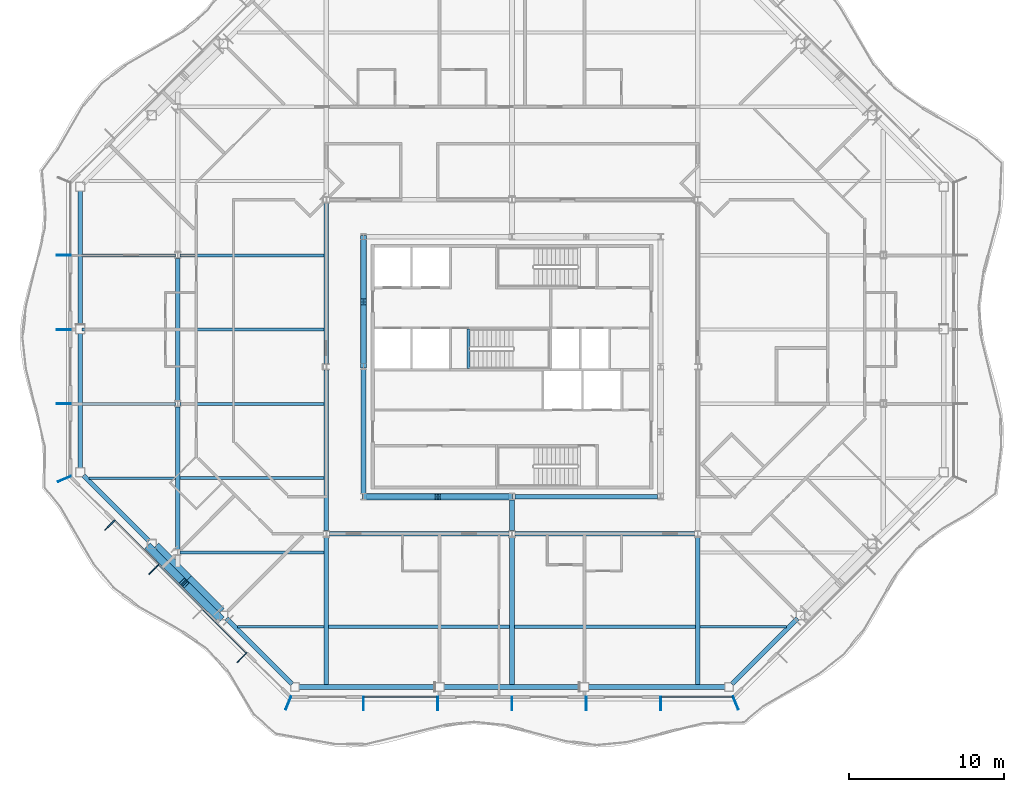
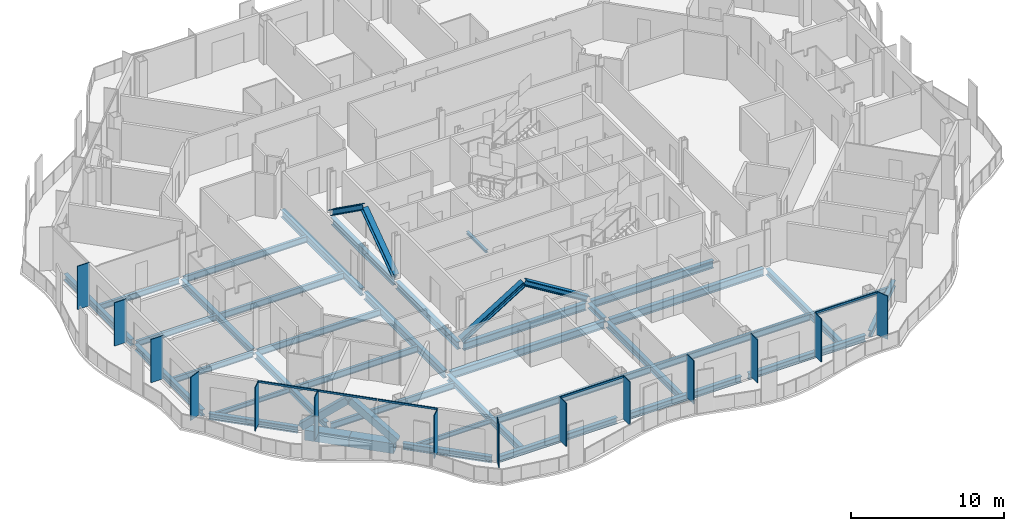
# One storey, part 3 of 21: 38 beams, 25 members, 4 elements without a shape of their own.
"""IFC4 building model written with IfcOpenShell, lengths in metres."""

from ifc_helpers import new_model, si_unit, direction, frame, origin, origin_2d, place, context, subcontext, project, spatial, rectangle, hollow_rectangle, i_section, extrude, material, material_profile, profile_set, type_object, element, aggregate, save


model = new_model("IFC4")

# Units and contexts
model_context = context("Model", 3, precision=1e-05, world=origin(), true_north=direction((0.0, 1.0)))
body_context = subcontext(model_context, "Body", "Model", "MODEL_VIEW")
ifc_project = project(units=[si_unit("LENGTHUNIT", "METRE"), si_unit("AREAUNIT", "SQUARE_METRE"), si_unit("VOLUMEUNIT", "CUBIC_METRE"), si_unit("PLANEANGLEUNIT", "RADIAN"), si_unit("MASSUNIT", "GRAM", prefix="KILO")], contexts=[model_context])

# Site, building, storey
site_placement = place(None, origin())
site = spatial("IfcSite", under=ifc_project, at=site_placement, CompositionType="ELEMENT")
building_placement = place(site_placement, origin())
building = spatial("IfcBuilding", under=site, at=building_placement, Name="Cairn Pilgrim Tower", CompositionType="ELEMENT")
storey_placement = place(building_placement, frame((0.0, 0.0, 161.39990234375)))
storey = spatial("IfcBuildingStorey", under=building, at=storey_placement, Name="L40", CompositionType="ELEMENT", Elevation=161.39990234375)

# Members
ifc_material_1 = material(Name="Structural steel S460M", Category="steel")
ifc_material_profile_1 = material_profile(ifc_material_1, hollow_rectangle(XDim=0.5, YDim=0.5, WallThickness=0.030029296875, at=origin_2d()), Name="BOX 500x500x30")
ifc_profile_set_1 = profile_set([ifc_material_profile_1], Name="Structural steel S460M")
member_type_1 = type_object("IfcMemberType", Name="BOX 500x500x30 BRACE", PredefinedType="BRACE", material=ifc_profile_set_1)
for number, where, z_axis, x_axis, name in (
    (1, (-16.243408203125, -9.2978515625, 0.150146484375), (0.532872437944, -0.54041586551, 0.651151024866), (0.712058976351, 0.702119658034, 0.0), "XB-SW2-SW3-1"),
    (2, (-11.697998046875, -13.84326171875, 0.150146484375), (-0.540432836476, 0.53283023714, 0.651171473306), (-0.702080283622, -0.712097799006, 0.0), "XB-SW2-SW3-2"),
):
    element("IfcMember", number, at=place(storey_placement, frame(where, z_axis=z_axis, x_axis=x_axis)), inside=storey, type_object=member_type_1, Name=name, PredefinedType="BRACE", context=body_context, shape_type="SweptSolid", body=[
        extrude(hollow_rectangle(XDim=0.5, YDim=0.5, WallThickness=0.030029296875, at=origin_2d()), origin(), (0.0, 0.0, 1.0), 4.142578125),
    ])

# Beams
ifc_material_2 = material(Name="Structural steel S355J2", Category="steel")
ifc_material_profile_2 = material_profile(ifc_material_2, hollow_rectangle(XDim=0.699951171875, YDim=0.800048828125, WallThickness=0.0400390625, at=origin_2d()), Name="BOX 700x800x40")
ifc_profile_set_2 = profile_set([ifc_material_profile_2], Name="Structural steel S355J2")
beam_type_1 = type_object("IfcBeamType", Name="BOX 700x800x40 RING GIRDER", PredefinedType="SPANDREL", material=ifc_profile_set_2)
beam_1_placement = place(storey_placement, frame((-15.884765625, -9.242431640625, -0.5498046875), z_axis=(0.707106781187, -0.707106781187, 0.0), x_axis=(0.707106781187, 0.707106781187, 0.0)))
element("IfcBeam", 3, at=beam_1_placement, inside=storey, type_object=beam_type_1, Name="RG2-SW2-SW3-1", PredefinedType="SPANDREL", context=body_context, shape_type="SweptSolid", body=[
    extrude(hollow_rectangle(XDim=0.699951171875, YDim=0.800048828125, WallThickness=0.0400390625, at=origin_2d()), origin(), (0.0, 0.0, 1.0), 2.999755859375),
])
beam_2_placement = place(storey_placement, frame((-13.763671875, -11.363525390625, -0.5498046875), z_axis=(0.707106781187, -0.707106781187, 0.0), x_axis=(0.707106781187, 0.707106781187, 0.0)))
element("IfcBeam", 4, at=beam_2_placement, inside=storey, type_object=beam_type_1, Name="RG2-SW2-SW3-2", PredefinedType="SPANDREL", context=body_context, shape_type="SweptSolid", body=[
    extrude(hollow_rectangle(XDim=0.699951171875, YDim=0.800048828125, WallThickness=0.0400390625, at=origin_2d()), origin(), (0.0, 0.0, 1.0), 3.0),
])

# Curtain wall, members
ifc_material_3 = material(Name="Aluminium alloy 6063-T6 bronze anodised with Bronze tinted laminated low-E glass 8+16+8.8", Category="aluminium")
curtain_wall_type_1 = type_object("IfcCurtainWallType", Name="TOWER STICK CURTAIN WALL NS", PredefinedType="NOTDEFINED", material=ifc_material_3)
curtain_wall_1_placement = place(storey_placement, origin())
curtain_wall_1 = element("IfcCurtainWall", 5, at=curtain_wall_1_placement, inside=storey, type_object=curtain_wall_type_1, Name="Tower Stick Curtain Wall Ns S", PredefinedType="NOTDEFINED")
ifc_material_4 = material(Name="Aluminium alloy 6063-T6 bronze anodised", Category="aluminium")
ifc_material_profile_3 = material_profile(ifc_material_4, rectangle(XDim=0.89990234375, YDim=0.06005859375, at=origin_2d()), Name="FIN MULLION 60x900 BRONZE")
ifc_profile_set_3 = profile_set([ifc_material_profile_3], Name="Aluminium alloy 6063-T6 bronze anodised")
member_type_2 = type_object("IfcMemberType", Name="FIN MULLION 60x900 BRONZE", PredefinedType="MULLION", material=ifc_profile_set_3)
member_1_placement = place(storey_placement, frame((-7.257080078125, -19.338134765625, 0.0), z_axis=(0.0, 0.0, 1.0), x_axis=(-0.382683432365, -0.923879532511, 0.0)))
member_1 = element("IfcMember", 6, at=member_1_placement, type_object=member_type_2, Name="Fin mullion S1", PredefinedType="MULLION", context=body_context, shape_type="SweptSolid", body=[
    extrude(rectangle(XDim=0.89990234375, YDim=0.06005859375, at=origin_2d()), origin(), (0.0, 0.0, 1.0), 3.4501953125),
])
member_2_placement = place(storey_placement, frame((-2.39990234375, -19.3701171875, 0.0), z_axis=(0.0, 0.0, 1.0), x_axis=(0.0, -1.0, 0.0)))
member_2 = element("IfcMember", 7, at=member_2_placement, type_object=member_type_2, Name="Fin mullion S2", PredefinedType="MULLION", context=body_context, shape_type="SweptSolid", body=[
    extrude(rectangle(XDim=0.89990234375, YDim=0.06005859375, at=origin_2d()), origin(), (0.0, 0.0, 1.0), 3.4501953125),
])
member_3_placement = place(storey_placement, frame((2.39990234375, -19.3701171875, 0.0), z_axis=(0.0, 0.0, 1.0), x_axis=(0.0, -1.0, 0.0)))
member_3 = element("IfcMember", 8, at=member_3_placement, type_object=member_type_2, Name="Fin mullion S3", PredefinedType="MULLION", context=body_context, shape_type="SweptSolid", body=[
    extrude(rectangle(XDim=0.89990234375, YDim=0.06005859375, at=origin_2d()), origin(), (0.0, 0.0, 1.0), 3.4501953125),
])
member_4_placement = place(storey_placement, frame((7.199951171875, -19.3701171875, 0.0), z_axis=(0.0, 0.0, 1.0), x_axis=(0.0, -1.0, 0.0)))
member_4 = element("IfcMember", 9, at=member_4_placement, type_object=member_type_2, Name="Fin mullion S4", PredefinedType="MULLION", context=body_context, shape_type="SweptSolid", body=[
    extrude(rectangle(XDim=0.89990234375, YDim=0.06005859375, at=origin_2d()), origin(), (0.0, 0.0, 1.0), 3.4501953125),
])
member_5_placement = place(storey_placement, frame((12.0, -19.3701171875, 0.0), z_axis=(0.0, 0.0, 1.0), x_axis=(0.0, -1.0, 0.0)))
member_5 = element("IfcMember", 10, at=member_5_placement, type_object=member_type_2, Name="Fin mullion S5", PredefinedType="MULLION", context=body_context, shape_type="SweptSolid", body=[
    extrude(rectangle(XDim=0.89990234375, YDim=0.06005859375, at=origin_2d()), origin(), (0.0, 0.0, 1.0), 3.4501953125),
])
member_6_placement = place(storey_placement, frame((16.800048828125, -19.3701171875, 0.0), z_axis=(0.0, 0.0, 1.0), x_axis=(0.0, -1.0, 0.0)))
member_6 = element("IfcMember", 11, at=member_6_placement, type_object=member_type_2, Name="Fin mullion S6", PredefinedType="MULLION", context=body_context, shape_type="SweptSolid", body=[
    extrude(rectangle(XDim=0.89990234375, YDim=0.06005859375, at=origin_2d()), origin(), (0.0, 0.0, 1.0), 3.4501953125),
])

# Curtain wall, member
curtain_wall_type_2 = type_object("IfcCurtainWallType", Name="CHAMFER CORNER CURTAIN WALL", PredefinedType="NOTDEFINED", material=ifc_material_3)
curtain_wall_2_placement = place(storey_placement, origin())
curtain_wall_2 = element("IfcCurtainWall", 12, at=curtain_wall_2_placement, inside=storey, type_object=curtain_wall_type_2, Name="Chamfer Corner Curtain Wall SE", PredefinedType="NOTDEFINED")
member_7_placement = place(storey_placement, frame((21.6572265625, -19.338134765625, 0.0), z_axis=(0.0, 0.0, 1.0), x_axis=(0.382683432365, -0.923879532511, 0.0)))
member_7 = element("IfcMember", 13, at=member_7_placement, type_object=member_type_2, Name="Fin mullion SE1", PredefinedType="MULLION", context=body_context, shape_type="SweptSolid", body=[
    extrude(rectangle(XDim=0.89990234375, YDim=0.06005859375, at=origin_2d()), origin(), (0.0, 0.0, 1.0), 3.4501953125),
])
aggregate(curtain_wall_2, [member_7])

# Curtain wall, members
curtain_wall_type_3 = type_object("IfcCurtainWallType", Name="TOWER STICK CURTAIN WALL EW", PredefinedType="NOTDEFINED", material=ifc_material_3)
curtain_wall_3_placement = place(storey_placement, origin())
curtain_wall_3 = element("IfcCurtainWall", 14, at=curtain_wall_3_placement, inside=storey, type_object=curtain_wall_type_3, Name="Tower Stick Curtain Wall Ew W", PredefinedType="NOTDEFINED")
member_8_placement = place(storey_placement, frame((-21.77001953125, 9.60009765625, 0.0), z_axis=(0.0, 0.0, 1.0), x_axis=(-1.0, 0.0, 0.0)))
member_8 = element("IfcMember", 15, at=member_8_placement, type_object=member_type_2, Name="Fin mullion W2", PredefinedType="MULLION", context=body_context, shape_type="SweptSolid", body=[
    extrude(rectangle(XDim=0.89990234375, YDim=0.06005859375, at=origin_2d()), origin(), (0.0, 0.0, 1.0), 3.4501953125),
])
member_9_placement = place(storey_placement, frame((-21.77001953125, 4.800048828125, 0.0), z_axis=(0.0, 0.0, 1.0), x_axis=(-1.0, 0.0, 0.0)))
member_9 = element("IfcMember", 16, at=member_9_placement, type_object=member_type_2, Name="Fin mullion W3", PredefinedType="MULLION", context=body_context, shape_type="SweptSolid", body=[
    extrude(rectangle(XDim=0.89990234375, YDim=0.06005859375, at=origin_2d()), origin(), (0.0, 0.0, 1.0), 3.4501953125),
])
member_10_placement = place(storey_placement, frame((-21.77001953125, 0.0, 0.0), z_axis=(0.0, 0.0, 1.0), x_axis=(-1.0, 0.0, 0.0)))
member_10 = element("IfcMember", 17, at=member_10_placement, type_object=member_type_2, Name="Fin mullion W4", PredefinedType="MULLION", context=body_context, shape_type="SweptSolid", body=[
    extrude(rectangle(XDim=0.89990234375, YDim=0.06005859375, at=origin_2d()), origin(), (0.0, 0.0, 1.0), 3.4501953125),
])
aggregate(curtain_wall_3, [member_8, member_9, member_10])

curtain_wall_4_placement = place(storey_placement, origin())
curtain_wall_4 = element("IfcCurtainWall", 18, at=curtain_wall_4_placement, inside=storey, type_object=curtain_wall_type_2, Name="Chamfer Corner Curtain Wall SW", PredefinedType="NOTDEFINED")
member_11_placement = place(storey_placement, frame((-21.738037109375, -4.857177734375, 0.0), z_axis=(0.0, 0.0, 1.0), x_axis=(-0.923879532511, -0.382683432365, 0.0)))
member_11 = element("IfcMember", 19, at=member_11_placement, type_object=member_type_2, Name="Fin mullion SW1", PredefinedType="MULLION", context=body_context, shape_type="SweptSolid", body=[
    extrude(rectangle(XDim=0.89990234375, YDim=0.06005859375, at=origin_2d()), origin(), (0.0, 0.0, 1.0), 3.4501953125),
])
member_12_placement = place(storey_placement, frame((-18.79638671875, -7.84423828125, 0.0), z_axis=(0.0, 0.0, 1.0), x_axis=(-0.707106781187, -0.707106781187, 0.0)))
member_12 = element("IfcMember", 20, at=member_12_placement, type_object=member_type_2, Name="Fin mullion SW2", PredefinedType="MULLION", context=body_context, shape_type="SweptSolid", body=[
    extrude(rectangle(XDim=0.89990234375, YDim=0.06005859375, at=origin_2d()), origin(), (0.0, 0.0, 1.0), 3.4501953125),
])
member_13_placement = place(storey_placement, frame((-15.945556640625, -10.69482421875, 0.0), z_axis=(0.0, 0.0, 1.0), x_axis=(-0.707106781187, -0.707106781187, 0.0)))
member_13 = element("IfcMember", 21, at=member_13_placement, type_object=member_type_2, Name="Fin mullion SW3", PredefinedType="MULLION", context=body_context, shape_type="SweptSolid", body=[
    extrude(rectangle(XDim=0.89990234375, YDim=0.06005859375, at=origin_2d()), origin(), (0.0, 0.0, 1.0), 3.4501953125),
])
member_14_placement = place(storey_placement, frame((-10.244140625, -16.396240234375, 0.0), z_axis=(0.0, 0.0, 1.0), x_axis=(-0.707106781187, -0.707106781187, 0.0)))
member_14 = element("IfcMember", 22, at=member_14_placement, type_object=member_type_2, Name="Fin mullion SW5", PredefinedType="MULLION", context=body_context, shape_type="SweptSolid", body=[
    extrude(rectangle(XDim=0.89990234375, YDim=0.06005859375, at=origin_2d()), origin(), (0.0, 0.0, 1.0), 3.4501953125),
])

# Members
ifc_material_profile_4 = material_profile(ifc_material_1, i_section(OverallWidth=0.408935546875, OverallDepth=0.425048828125, WebThickness=0.03271484375, FlangeThickness=0.052490234375, FilletRadius=0.014892578125, at=origin_2d()), Name="HD 400x421")
ifc_profile_set_4 = profile_set([ifc_material_profile_4], Name="Structural steel S460M")
member_type_3 = type_object("IfcMemberType", Name="HD 400x421 BRACE", PredefinedType="BRACE", material=ifc_profile_set_4)
member_15_placement = place(storey_placement, frame((-2.3583984375, -6.0, 0.10009765625), z_axis=(0.851119565216, 0.0, 0.524971890397), x_axis=(0.0, 1.0, 0.0)))
element("IfcMember", 23, at=member_15_placement, inside=storey, type_object=member_type_3, Name="KB-1A", PredefinedType="BRACE", context=body_context, shape_type="SweptSolid", body=[
    extrude(i_section(OverallWidth=0.408935546875, OverallDepth=0.425048828125, WebThickness=0.03271484375, FlangeThickness=0.052490234375, FilletRadius=0.014892578125, at=origin_2d()), origin(), (0.0, 0.0, 1.0), 5.528076171875),
])
member_16_placement = place(storey_placement, frame((7.158447265625, -6.0, 0.10009765625), z_axis=(-0.851131735799, 0.0, 0.52495215812), x_axis=(0.0, -1.0, 0.0)))
element("IfcMember", 24, at=member_16_placement, inside=storey, type_object=member_type_3, Name="KB-1B", PredefinedType="BRACE", context=body_context, shape_type="SweptSolid", body=[
    extrude(i_section(OverallWidth=0.408935546875, OverallDepth=0.425048828125, WebThickness=0.03271484375, FlangeThickness=0.052490234375, FilletRadius=0.014892578125, at=origin_2d()), origin(), (0.0, 0.0, 1.0), 5.5283203125),
])
for number, where, z_axis, x_axis, name in (
    (25, (-2.39990234375, 10.75830078125, 0.10009765625), (0.0, -0.81433042856, 0.580401544727), (1.0, 0.0, 0.0), "KB-4A"),
    (26, (-2.39990234375, 2.441650390625, 0.10009765625), (0.0, 0.81433042856, 0.580401544727), (-1.0, 0.0, 0.0), "KB-4B"),
):
    element("IfcMember", number, at=place(storey_placement, frame(where, z_axis=z_axis, x_axis=x_axis)), inside=storey, type_object=member_type_3, Name=name, PredefinedType="BRACE", context=body_context, shape_type="SweptSolid", body=[
        extrude(i_section(OverallWidth=0.408935546875, OverallDepth=0.425048828125, WebThickness=0.03271484375, FlangeThickness=0.052490234375, FilletRadius=0.014892578125, at=origin_2d()), origin(), (0.0, 0.0, 1.0), 4.998046875),
    ])

# Beams
ifc_material_profile_5 = material_profile(ifc_material_2, i_section(OverallWidth=0.300048828125, OverallDepth=0.39990234375, WebThickness=0.013427734375, FlangeThickness=0.02392578125, FilletRadius=0.027099609375, at=origin_2d()), Name="HEB 400")
ifc_profile_set_5 = profile_set([ifc_material_profile_5], Name="Structural steel S355J2")
beam_type_2 = type_object("IfcBeamType", Name="HEB 400 GIRDER", PredefinedType="BEAM", material=ifc_profile_set_5)
beam_3_placement = place(storey_placement, frame((7.199951171875, -8.200439453125, -0.349853515625), z_axis=(0.0, 1.0, 0.0), x_axis=(-1.0, 0.0, 0.0)))
element("IfcBeam", 27, at=beam_3_placement, inside=storey, type_object=beam_type_2, Name="PG3-E1", PredefinedType="BEAM", context=body_context, shape_type="SweptSolid", body=[
    extrude(i_section(OverallWidth=0.300048828125, OverallDepth=0.39990234375, WebThickness=0.013427734375, FlangeThickness=0.02392578125, FilletRadius=0.027099609375, at=origin_2d()), origin(), (0.0, 0.0, 1.0), 1.992431640625),
])
ifc_material_profile_6 = material_profile(ifc_material_2, i_section(OverallWidth=0.300048828125, OverallDepth=0.5, WebThickness=0.014404296875, FlangeThickness=0.028076171875, FilletRadius=0.027099609375, at=origin_2d()), Name="HEB 500")
ifc_profile_set_6 = profile_set([ifc_material_profile_6], Name="Structural steel S355J2")
beam_type_3 = type_object("IfcBeamType", Name="HEB 500 GIRDER", PredefinedType="BEAM", material=ifc_profile_set_6)
for number, where, z_axis, x_axis, name in (
    (28, (-14.39990234375, -9.400390625, -0.39990234375), (0.0, 1.0, 0.0), (-1.0, 0.0, 0.0), "PG1-1"),
    (29, (-14.39990234375, 0.199462890625, -0.39990234375), (0.0, 1.0, 0.0), (-1.0, 0.0, 0.0), "PG1-2"),
):
    element("IfcBeam", number, at=place(storey_placement, frame(where, z_axis=z_axis, x_axis=x_axis)), inside=storey, type_object=beam_type_3, Name=name, PredefinedType="BEAM", context=body_context, shape_type="SweptSolid", body=[
        extrude(i_section(OverallWidth=0.300048828125, OverallDepth=0.5, WebThickness=0.014404296875, FlangeThickness=0.028076171875, FilletRadius=0.027099609375, at=origin_2d()), origin(), (0.0, 0.0, 1.0), 9.200927734375),
    ])
for number, where, z_axis, x_axis, name in (
    (30, (-4.800048828125, -18.179931640625, -0.39990234375), (0.0, 1.0, 0.0), (-1.0, 0.0, 0.0), "PG2-1"),
    (31, (7.199951171875, -18.179931640625, -0.39990234375), (0.0, 1.0, 0.0), (-1.0, 0.0, 0.0), "PG3-1"),
    (32, (19.199951171875, -18.179931640625, -0.39990234375), (0.0, 1.0, 0.0), (-1.0, 0.0, 0.0), "PG4-1"),
):
    element("IfcBeam", number, at=place(storey_placement, frame(where, z_axis=z_axis, x_axis=x_axis)), inside=storey, type_object=beam_type_3, Name=name, PredefinedType="BEAM", context=body_context, shape_type="SweptSolid", body=[
        extrude(i_section(OverallWidth=0.300048828125, OverallDepth=0.5, WebThickness=0.014404296875, FlangeThickness=0.028076171875, FilletRadius=0.027099609375, at=origin_2d()), origin(), (0.0, 0.0, 1.0), 9.580322265625),
    ])
ifc_material_profile_7 = material_profile(ifc_material_2, i_section(OverallWidth=0.300048828125, OverallDepth=0.5, WebThickness=0.014404296875, FlangeThickness=0.028076171875, FilletRadius=0.027099609375, at=origin_2d()), Name="HEB 500")
ifc_profile_set_7 = profile_set([ifc_material_profile_7], Name="Structural steel S355J2")
beam_type_4 = type_object("IfcBeamType", Name="HEB 500 RING GIRDER", PredefinedType="SPANDREL", material=ifc_profile_set_7)
for number, where, z_axis, x_axis, name in (
    (33, (-6.55712890625, -18.300048828125, -0.39990234375), (1.0, 0.0, 0.0), (0.0, 1.0, 0.0), "RG2-S1-S2"),
    (34, (2.794189453125, -18.300048828125, -0.39990234375), (1.0, 0.0, 0.0), (0.0, 1.0, 0.0), "RG2-S2-S3"),
    (35, (12.145751953125, -18.300048828125, -0.39990234375), (1.0, 0.0, 0.0), (0.0, 1.0, 0.0), "RG2-S3-SE1"),
):
    element("IfcBeam", number, at=place(storey_placement, frame(where, z_axis=z_axis, x_axis=x_axis)), inside=storey, type_object=beam_type_4, Name=name, PredefinedType="SPANDREL", context=body_context, shape_type="SweptSolid", body=[
        extrude(i_section(OverallWidth=0.300048828125, OverallDepth=0.5, WebThickness=0.014404296875, FlangeThickness=0.028076171875, FilletRadius=0.027099609375, at=origin_2d()), origin(), (0.0, 0.0, 1.0), 8.8115234375),
    ])
beam_4_placement = place(storey_placement, frame((21.418212890625, -18.109130859375, -0.39990234375), z_axis=(0.707106781187, 0.707106781187, 0.0), x_axis=(-0.707106781187, 0.707106781187, 0.0)))
element("IfcBeam", 36, at=beam_4_placement, inside=storey, type_object=beam_type_4, Name="RG2-SE1-SE2", PredefinedType="SPANDREL", context=body_context, shape_type="SweptSolid", body=[
    extrude(i_section(OverallWidth=0.300048828125, OverallDepth=0.5, WebThickness=0.014404296875, FlangeThickness=0.028076171875, FilletRadius=0.027099609375, at=origin_2d()), origin(), (0.0, 0.0, 1.0), 5.999755859375),
])
beam_5_placement = place(storey_placement, frame((-20.699951171875, 13.757080078125, -0.39990234375), z_axis=(0.0, -1.0, 0.0), x_axis=(1.0, 0.0, 0.0)))
element("IfcBeam", 37, at=beam_5_placement, inside=storey, type_object=beam_type_4, Name="RG2-W1-W2", PredefinedType="SPANDREL", context=body_context, shape_type="SweptSolid", body=[
    extrude(i_section(OverallWidth=0.300048828125, OverallDepth=0.5, WebThickness=0.014404296875, FlangeThickness=0.028076171875, FilletRadius=0.027099609375, at=origin_2d()), origin(), (0.0, 0.0, 1.0), 8.68701171875),
])
beam_6_placement = place(storey_placement, frame((-20.699951171875, 4.530029296875, -0.39990234375), z_axis=(0.0, -1.0, 0.0), x_axis=(1.0, 0.0, 0.0)))
element("IfcBeam", 38, at=beam_6_placement, inside=storey, type_object=beam_type_4, Name="RG2-W2-SW1", PredefinedType="SPANDREL", context=body_context, shape_type="SweptSolid", body=[
    extrude(i_section(OverallWidth=0.300048828125, OverallDepth=0.5, WebThickness=0.014404296875, FlangeThickness=0.028076171875, FilletRadius=0.027099609375, at=origin_2d()), origin(), (0.0, 0.0, 1.0), 8.687255859375),
])
for number, where, z_axis, x_axis, name in (
    (39, (-20.509033203125, -4.6181640625, -0.39990234375), (0.707106781187, -0.707106781187, 0.0), (0.707106781187, 0.707106781187, 0.0), "RG2-SW1-SW2"),
    (40, (-11.260498046875, -13.86669921875, -0.39990234375), (0.707106781187, -0.707106781187, 0.0), (0.707106781187, 0.707106781187, 0.0), "RG2-SW3-S1"),
):
    element("IfcBeam", number, at=place(storey_placement, frame(where, z_axis=z_axis, x_axis=x_axis)), inside=storey, type_object=beam_type_4, Name=name, PredefinedType="SPANDREL", context=body_context, shape_type="SweptSolid", body=[
        extrude(i_section(OverallWidth=0.300048828125, OverallDepth=0.5, WebThickness=0.014404296875, FlangeThickness=0.028076171875, FilletRadius=0.027099609375, at=origin_2d()), origin(), (0.0, 0.0, 1.0), 5.999755859375),
    ])
ifc_material_profile_8 = material_profile(ifc_material_2, i_section(OverallWidth=0.300048828125, OverallDepth=0.60009765625, WebThickness=0.015380859375, FlangeThickness=0.030029296875, FilletRadius=0.027099609375, at=origin_2d()), Name="HEB 600")
ifc_profile_set_8 = profile_set([ifc_material_profile_8], Name="Structural steel S355J2")
beam_type_5 = type_object("IfcBeamType", Name="HEB 600 CORE BEAM", PredefinedType="BEAM", material=ifc_profile_set_8)
for number, where, z_axis, x_axis, name in (
    (41, (-2.212890625, -6.0, -0.449951171875), (1.0, 0.0, 0.0), (0.0, 1.0, 0.0), "CB-1"),
    (42, (7.38720703125, -6.0, -0.449951171875), (1.0, 0.0, 0.0), (0.0, 1.0, 0.0), "CB-2"),
):
    element("IfcBeam", number, at=place(storey_placement, frame(where, z_axis=z_axis, x_axis=x_axis)), inside=storey, type_object=beam_type_5, Name=name, PredefinedType="BEAM", context=body_context, shape_type="SweptSolid", body=[
        extrude(i_section(OverallWidth=0.300048828125, OverallDepth=0.60009765625, WebThickness=0.015380859375, FlangeThickness=0.030029296875, FilletRadius=0.027099609375, at=origin_2d()), origin(), (0.0, 0.0, 1.0), 9.2255859375),
    ])
for number, where, z_axis, x_axis, name in (
    (43, (-2.39990234375, 10.61279296875, -0.449951171875), (0.0, -1.0, 0.0), (1.0, 0.0, 0.0), "CB-7"),
    (44, (-2.39990234375, 2.212890625, -0.449951171875), (0.0, -1.0, 0.0), (1.0, 0.0, 0.0), "CB-8"),
):
    element("IfcBeam", number, at=place(storey_placement, frame(where, z_axis=z_axis, x_axis=x_axis)), inside=storey, type_object=beam_type_5, Name=name, PredefinedType="BEAM", context=body_context, shape_type="SweptSolid", body=[
        extrude(i_section(OverallWidth=0.300048828125, OverallDepth=0.60009765625, WebThickness=0.015380859375, FlangeThickness=0.030029296875, FilletRadius=0.027099609375, at=origin_2d()), origin(), (0.0, 0.0, 1.0), 8.025634765625),
    ])
ifc_material_profile_9 = material_profile(ifc_material_2, i_section(OverallWidth=0.300048828125, OverallDepth=0.60009765625, WebThickness=0.015380859375, FlangeThickness=0.030029296875, FilletRadius=0.027099609375, at=origin_2d()), Name="HEB 600")
ifc_profile_set_9 = profile_set([ifc_material_profile_9], Name="Structural steel S355J2")
beam_type_6 = type_object("IfcBeamType", Name="HEB 600 GIRDER", PredefinedType="BEAM", material=ifc_profile_set_9)
for number, where, z_axis, x_axis, name in (
    (45, (-4.800048828125, -8.200439453125, -0.449951171875), (0.0, 1.0, 0.0), (-1.0, 0.0, 0.0), "PG2-2"),
    (46, (-4.800048828125, 2.599609375, -0.449951171875), (0.0, 1.0, 0.0), (-1.0, 0.0, 0.0), "PG2-3"),
):
    element("IfcBeam", number, at=place(storey_placement, frame(where, z_axis=z_axis, x_axis=x_axis)), inside=storey, type_object=beam_type_6, Name=name, PredefinedType="BEAM", context=body_context, shape_type="SweptSolid", body=[
        extrude(i_section(OverallWidth=0.300048828125, OverallDepth=0.60009765625, WebThickness=0.015380859375, FlangeThickness=0.030029296875, FilletRadius=0.027099609375, at=origin_2d()), origin(), (0.0, 0.0, 1.0), 10.40087890625),
    ])
ifc_material_profile_10 = material_profile(ifc_material_2, i_section(OverallWidth=0.300048828125, OverallDepth=0.60009765625, WebThickness=0.015380859375, FlangeThickness=0.030029296875, FilletRadius=0.027099609375, at=origin_2d()), Name="HEB 600")
ifc_profile_set_10 = profile_set([ifc_material_profile_10], Name="Structural steel S355J2")
beam_type_7 = type_object("IfcBeamType", Name="HEB 600 INNER GIRDER", PredefinedType="BEAM", material=ifc_profile_set_10)
for number, where, z_axis, x_axis, name in (
    (47, (-4.6005859375, -8.39990234375, -0.449951171875), (1.0, 0.0, 0.0), (0.0, 1.0, 0.0), "IG1-1"),
    (48, (7.3994140625, -8.39990234375, -0.449951171875), (1.0, 0.0, 0.0), (0.0, 1.0, 0.0), "IG1-2"),
):
    element("IfcBeam", number, at=place(storey_placement, frame(where, z_axis=z_axis, x_axis=x_axis)), inside=storey, type_object=beam_type_7, Name=name, PredefinedType="BEAM", context=body_context, shape_type="SweptSolid", body=[
        extrude(i_section(OverallWidth=0.300048828125, OverallDepth=0.60009765625, WebThickness=0.015380859375, FlangeThickness=0.030029296875, FilletRadius=0.027099609375, at=origin_2d()), origin(), (0.0, 0.0, 1.0), 11.60107421875),
    ])
ifc_material_profile_11 = material_profile(ifc_material_2, i_section(OverallWidth=0.169921875, OverallDepth=0.360107421875, WebThickness=0.008056640625, FlangeThickness=0.0126953125, FilletRadius=0.01806640625, at=origin_2d()), Name="IPE 360")
ifc_profile_set_11 = profile_set([ifc_material_profile_11], Name="Structural steel S355J2")
beam_type_8 = type_object("IfcBeamType", Name="IPE 360 SECONDARY BEAM", PredefinedType="JOIST", material=ifc_profile_set_11)
beam_7_placement = place(storey_placement, frame((-10.545166015625, -14.39990234375, -0.329833984375), z_axis=(1.0, 0.0, 0.0), x_axis=(0.0, 1.0, 0.0)))
element("IfcBeam", 49, at=beam_7_placement, inside=storey, type_object=beam_type_8, Name="SB1-1", PredefinedType="JOIST", context=body_context, shape_type="SweptSolid", body=[
    extrude(i_section(OverallWidth=0.169921875, OverallDepth=0.360107421875, WebThickness=0.008056640625, FlangeThickness=0.0126953125, FilletRadius=0.01806640625, at=origin_2d()), origin(), (0.0, 0.0, 1.0), 5.59521484375),
])
for number, where, z_axis, x_axis, name in (
    (50, (19.35009765625, -14.39990234375, -0.329833984375), (1.0, 0.0, 0.0), (0.0, 1.0, 0.0), "SB1-4"),
    (51, (-20.14501953125, -4.800048828125, -0.329833984375), (1.0, 0.0, 0.0), (0.0, 1.0, 0.0), "SB3-1"),
):
    element("IfcBeam", number, at=place(storey_placement, frame(where, z_axis=z_axis, x_axis=x_axis)), inside=storey, type_object=beam_type_8, Name=name, PredefinedType="JOIST", context=body_context, shape_type="SweptSolid", body=[
        extrude(i_section(OverallWidth=0.169921875, OverallDepth=0.360107421875, WebThickness=0.008056640625, FlangeThickness=0.0126953125, FilletRadius=0.01806640625, at=origin_2d()), origin(), (0.0, 0.0, 1.0), 5.594970703125),
    ])
ifc_material_profile_12 = material_profile(ifc_material_2, i_section(OverallWidth=0.18994140625, OverallDepth=0.449951171875, WebThickness=0.009521484375, FlangeThickness=0.0146484375, FilletRadius=0.02099609375, at=origin_2d()), Name="IPE 450")
ifc_profile_set_12 = profile_set([ifc_material_profile_12], Name="Structural steel S355J2")
beam_type_9 = type_object("IfcBeamType", Name="IPE 450 SECONDARY BEAM", PredefinedType="JOIST", material=ifc_profile_set_12)
for number, where, z_axis, x_axis, name in (
    (52, (-20.580078125, 0.0, -0.375), (1.0, 0.0, 0.0), (0.0, 1.0, 0.0), "SB4-1"),
    (53, (-20.580078125, 4.800048828125, -0.375), (1.0, 0.0, 0.0), (0.0, 1.0, 0.0), "SB5-1"),
    (54, (-20.580078125, 9.60009765625, -0.375), (1.0, 0.0, 0.0), (0.0, 1.0, 0.0), "SB6-1"),
):
    element("IfcBeam", number, at=place(storey_placement, frame(where, z_axis=z_axis, x_axis=x_axis)), inside=storey, type_object=beam_type_9, Name=name, PredefinedType="JOIST", context=body_context, shape_type="SweptSolid", body=[
        extrude(i_section(OverallWidth=0.18994140625, OverallDepth=0.449951171875, WebThickness=0.009521484375, FlangeThickness=0.0146484375, FilletRadius=0.02099609375, at=origin_2d()), origin(), (0.0, 0.0, 1.0), 6.030029296875),
    ])
ifc_material_profile_13 = material_profile(ifc_material_2, i_section(OverallWidth=0.199951171875, OverallDepth=0.5, WebThickness=0.01025390625, FlangeThickness=0.01611328125, FilletRadius=0.02099609375, at=origin_2d()), Name="IPE 500")
ifc_profile_set_13 = profile_set([ifc_material_profile_13], Name="Structural steel S355J2")
beam_type_10 = type_object("IfcBeamType", Name="IPE 500 SECONDARY BEAM", PredefinedType="JOIST", material=ifc_profile_set_13)
for number, where, z_axis, x_axis, name in (
    (55, (-14.25, -9.60009765625, -0.39990234375), (1.0, 0.0, 0.0), (0.0, 1.0, 0.0), "SB2-1"),
    (56, (-14.25, -4.800048828125, -0.39990234375), (1.0, 0.0, 0.0), (0.0, 1.0, 0.0), "SB3-2"),
    (57, (-14.25, 0.0, -0.39990234375), (1.0, 0.0, 0.0), (0.0, 1.0, 0.0), "SB4-2"),
    (58, (-14.25, 4.800048828125, -0.39990234375), (1.0, 0.0, 0.0), (0.0, 1.0, 0.0), "SB5-2"),
    (59, (-14.25, 9.60009765625, -0.39990234375), (1.0, 0.0, 0.0), (0.0, 1.0, 0.0), "SB6-2"),
):
    element("IfcBeam", number, at=place(storey_placement, frame(where, z_axis=z_axis, x_axis=x_axis)), inside=storey, type_object=beam_type_10, Name=name, PredefinedType="JOIST", context=body_context, shape_type="SweptSolid", body=[
        extrude(i_section(OverallWidth=0.199951171875, OverallDepth=0.5, WebThickness=0.01025390625, FlangeThickness=0.01611328125, FilletRadius=0.02099609375, at=origin_2d()), origin(), (0.0, 0.0, 1.0), 9.300048828125),
    ])
ifc_material_profile_14 = material_profile(ifc_material_2, i_section(OverallWidth=0.2099609375, OverallDepth=0.550048828125, WebThickness=0.010986328125, FlangeThickness=0.01708984375, FilletRadius=0.02392578125, at=origin_2d()), Name="IPE 550")
ifc_profile_set_14 = profile_set([ifc_material_profile_14], Name="Structural steel S355J2")
beam_type_11 = type_object("IfcBeamType", Name="IPE 550 SECONDARY BEAM", PredefinedType="JOIST", material=ifc_profile_set_14)
for number, where, z_axis, x_axis, name in (
    (60, (-4.64990234375, -14.39990234375, -0.4248046875), (1.0, 0.0, 0.0), (0.0, 1.0, 0.0), "SB1-2"),
    (61, (7.35009765625, -14.39990234375, -0.4248046875), (1.0, 0.0, 0.0), (0.0, 1.0, 0.0), "SB1-3"),
):
    element("IfcBeam", number, at=place(storey_placement, frame(where, z_axis=z_axis, x_axis=x_axis)), inside=storey, type_object=beam_type_11, Name=name, PredefinedType="JOIST", context=body_context, shape_type="SweptSolid", body=[
        extrude(i_section(OverallWidth=0.2099609375, OverallDepth=0.550048828125, WebThickness=0.010986328125, FlangeThickness=0.01708984375, FilletRadius=0.02392578125, at=origin_2d()), origin(), (0.0, 0.0, 1.0), 11.699951171875),
    ])
ifc_material_profile_15 = material_profile(ifc_material_2, i_section(OverallWidth=0.199951171875, OverallDepth=0.199951171875, WebThickness=0.009033203125, FlangeThickness=0.014892578125, FilletRadius=0.01806640625, at=origin_2d()), Name="HE 200 B")
ifc_profile_set_15 = profile_set([ifc_material_profile_15], Name="Structural steel S355J2")
beam_type_12 = type_object("IfcBeamType", Name="STAIR LANDING BEAM HE 200 B", PredefinedType="BEAM", material=ifc_profile_set_15)
beam_8_placement = place(storey_placement, frame((4.37548828125, 2.27490234375, -0.25), z_axis=(0.0, 1.0, 0.0), x_axis=(-1.0, 0.0, 0.0)))
element("IfcBeam", 62, at=beam_8_placement, inside=storey, type_object=beam_type_12, Name="STAIR LANDING BEAM LD-HE200B", PredefinedType="BEAM", context=body_context, shape_type="SweptSolid", body=[
    extrude(i_section(OverallWidth=0.199951171875, OverallDepth=0.199951171875, WebThickness=0.009033203125, FlangeThickness=0.014892578125, FilletRadius=0.01806640625, at=origin_2d()), origin(), (0.0, 0.0, 1.0), 2.550048828125),
])

# Member
ifc_material_profile_16 = material_profile(ifc_material_4, rectangle(XDim=0.080078125, YDim=0.14990234375, at=origin_2d()), Name="TRANSOM 80x150 BRONZE")
ifc_profile_set_16 = profile_set([ifc_material_profile_16], Name="Aluminium alloy 6063-T6 bronze anodised")
member_type_4 = type_object("IfcMemberType", Name="TRANSOM 80x150 BRONZE", PredefinedType="USERDEFINED", material=ifc_profile_set_16)
member_17_placement = place(storey_placement, frame((-2.3701171875, -18.949951171875, 3.375), z_axis=(1.0, 0.0, 0.0), x_axis=(0.0, 1.0, 0.0)))
member_17 = element("IfcMember", 63, at=member_17_placement, type_object=member_type_4, Name="Transom S2", ObjectType="TRANSOM", PredefinedType="USERDEFINED", context=body_context, shape_type="SweptSolid", body=[
    extrude(rectangle(XDim=0.080078125, YDim=0.14990234375, at=origin_2d()), origin(), (0.0, 0.0, 1.0), 4.740234375),
])

member_18_placement = place(storey_placement, frame((16.830078125, -18.949951171875, 3.375), z_axis=(1.0, 0.0, 0.0), x_axis=(0.0, 1.0, 0.0)))
member_18 = element("IfcMember", 64, at=member_18_placement, type_object=member_type_4, Name="Transom S6", ObjectType="TRANSOM", PredefinedType="USERDEFINED", context=body_context, shape_type="SweptSolid", body=[
    extrude(rectangle(XDim=0.080078125, YDim=0.14990234375, at=origin_2d()), origin(), (0.0, 0.0, 1.0), 4.62646484375),
])

aggregate(curtain_wall_1, [member_1, member_2, member_3, member_4, member_5, member_6, member_17, member_18])

member_19_placement = place(storey_placement, frame((-18.47802734375, -7.568359375, 3.375), z_axis=(0.707106781187, -0.707106781187, 0.0), x_axis=(0.707106781187, 0.707106781187, 0.0)))
member_19 = element("IfcMember", 65, at=member_19_placement, type_object=member_type_4, Name="Transom SW2", ObjectType="TRANSOM", PredefinedType="USERDEFINED", context=body_context, shape_type="SweptSolid", body=[
    extrude(rectangle(XDim=0.080078125, YDim=0.14990234375, at=origin_2d()), origin(), (0.0, 0.0, 1.0), 3.9716796875),
])

member_20_placement = place(storey_placement, frame((-15.62744140625, -10.419189453125, 3.375), z_axis=(0.70713751761, -0.707076043427, 0.0), x_axis=(0.707076043427, 0.70713751761, 0.0)))
member_20 = element("IfcMember", 66, at=member_20_placement, type_object=member_type_4, Name="Transom SW3", ObjectType="TRANSOM", PredefinedType="USERDEFINED", context=body_context, shape_type="SweptSolid", body=[
    extrude(rectangle(XDim=0.080078125, YDim=0.14990234375, at=origin_2d()), origin(), (0.0, 0.0, 1.0), 3.971435546875),
])

member_21_placement = place(storey_placement, frame((-12.776611328125, -13.269775390625, 3.375), z_axis=(0.707106781187, -0.707106781187, 0.0), x_axis=(0.707106781187, 0.707106781187, 0.0)))
member_21 = element("IfcMember", 67, at=member_21_placement, type_object=member_type_4, Name="Transom SW4", ObjectType="TRANSOM", PredefinedType="USERDEFINED", context=body_context, shape_type="SweptSolid", body=[
    extrude(rectangle(XDim=0.080078125, YDim=0.14990234375, at=origin_2d()), origin(), (0.0, 0.0, 1.0), 3.9716796875),
])

aggregate(curtain_wall_4, [member_11, member_12, member_13, member_14, member_19, member_20, member_21])

save(model, "model.ifc")
